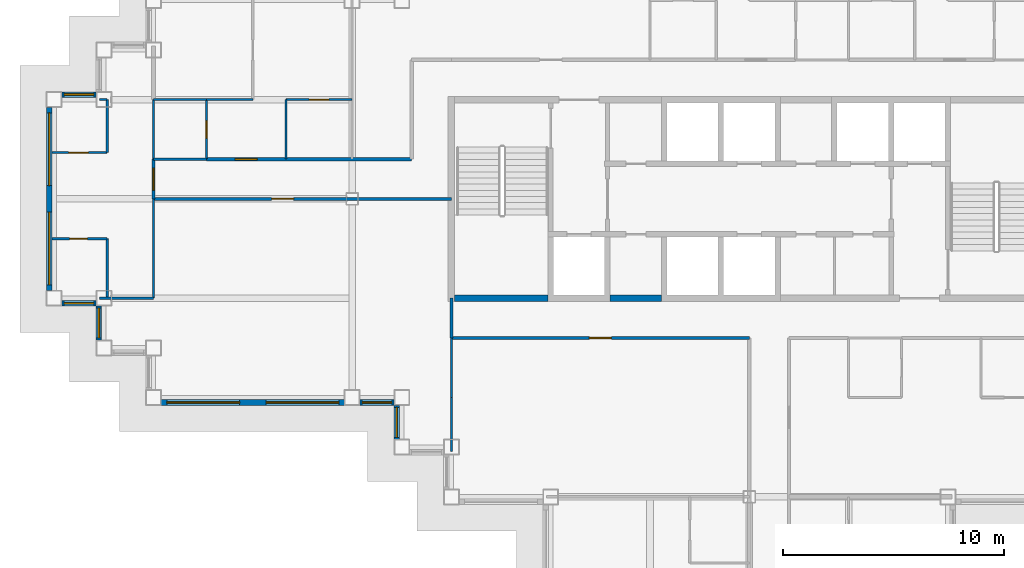
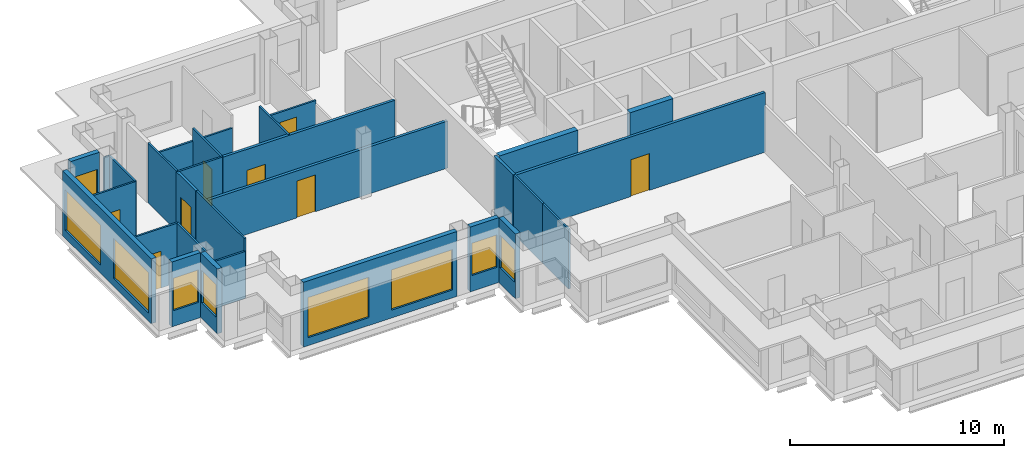
# One storey, part 3 of 12: 30 walls, 9 windows, 8 doors, 17 openings.
"""IFC4 building model written with IfcOpenShell, lengths in metres."""

from ifc_helpers import new_model, si_unit, direction, frame, frame_2d, origin, place, context, subcontext, project, spatial, rectangle, extrude, material, layer, layer_set, type_object, element, fill, save


model = new_model("IFC4")

# Units and contexts
model_context = context("Model", 3, precision=1e-05, world=origin(), true_north=direction((0.0, 1.0)))
body_context = subcontext(model_context, "Body", "Model", "MODEL_VIEW")
ifc_project = project(units=[si_unit("LENGTHUNIT", "METRE"), si_unit("AREAUNIT", "SQUARE_METRE"), si_unit("VOLUMEUNIT", "CUBIC_METRE"), si_unit("PLANEANGLEUNIT", "RADIAN"), si_unit("MASSUNIT", "GRAM", prefix="KILO")], contexts=[model_context])

# Site, building, storey
site_placement = place(None, origin())
site = spatial("IfcSite", under=ifc_project, at=site_placement, CompositionType="ELEMENT")
building_placement = place(site_placement, origin())
building = spatial("IfcBuilding", under=site, at=building_placement, Name="Caravel Reach Hotel and Residences", CompositionType="ELEMENT")
storey_placement = place(building_placement, frame((0.0, 0.0, 199.800048828125)))
storey = spatial("IfcBuildingStorey", under=building, at=storey_placement, Name="L50", CompositionType="ELEMENT", Elevation=199.800048828125)

# Wall, opening, door
ifc_material_1 = material(Name="Gypsum board on steel stud", Category="steel")
ifc_layer_1 = layer(ifc_material_1, 0.10009765625)
ifc_layer_set_1 = layer_set([ifc_layer_1], Name="Bathroom pod wall 100 mm")
wall_type_1 = type_object("IfcWallType", Name="Bathroom pod wall 100 mm", PredefinedType="PARTITIONING", material=ifc_layer_set_1)
wall_1_placement = place(storey_placement, frame((-0.10009765625, 25.199951171875, 0.0), z_axis=(0.0, 0.0, 1.0), x_axis=(1.0, 0.0, 0.0)))
wall_1 = element("IfcWall", 1, at=wall_1_placement, inside=storey, type_object=wall_type_1, Name="L50 wall w080", PredefinedType="PARTITIONING", context=body_context, shape_type="SweptSolid", body=[
    extrude(rectangle(XDim=2.5, YDim=0.10009765625, at=frame_2d((1.25, 0.0))), origin(), (0.0, 0.0, 1.0), 3.39990234375),
])
opening_1_placement = place(wall_1_placement, frame((0.800048828125, 0.0, 0.0)))
opening_1 = element("IfcOpeningElement", 2, at=opening_1_placement, cuts=wall_1, Name="Opening D50-044", PredefinedType="OPENING", context=body_context, shape_type="SweptSolid", body=[
    extrude(rectangle(XDim=0.800048828125, YDim=2.10009765625, at=frame_2d((0.39990234375, 1.050048828125))), frame((0.0, 0.06005859375, 0.0), z_axis=(0.0, -1.0, 0.0), x_axis=(1.0, 0.0, 0.0)), (0.0, 0.0, 1.0), 0.1201171875),
])
ifc_material_2 = material(Name="Timber and steel door leaf", Category="steel")
door_type_1 = type_object("IfcDoorType", Name="Bathroom door 800 x 2100", OperationType="SINGLE_SWING_LEFT", PredefinedType="DOOR", material=ifc_material_2)
door_1_placement = place(opening_1_placement, origin())
door_1 = element("IfcDoor", 3, at=door_1_placement, inside=storey, type_object=door_type_1, Name="door D50-044", OperationType="SINGLE_SWING_LEFT", OverallHeight=2.10009765625, OverallWidth=0.800048828125, PredefinedType="DOOR", context=body_context, shape_type="SweptSolid", body=[
    extrude(rectangle(XDim=0.800048828125, YDim=2.10009765625, at=frame_2d((0.39990234375, 1.050048828125))), frame((0.0, 0.02490234375, 0.0), z_axis=(0.0, -1.0, 0.0), x_axis=(1.0, 0.0, 0.0)), (0.0, 0.0, 1.0), 0.050048828125),
])
fill(opening_1, door_1)

# Walls
wall_2_placement = place(storey_placement, frame((4.5, 28.800048828125, 0.0), z_axis=(0.0, 0.0, 1.0), x_axis=(1.0, 0.0, 0.0)))
element("IfcWall", 4, at=wall_2_placement, inside=storey, type_object=wall_type_1, Name="L50 wall w081", PredefinedType="PARTITIONING", context=body_context, shape_type="SweptSolid", body=[
    extrude(rectangle(XDim=2.39990234375, YDim=0.10009765625, at=frame_2d((1.199951171875, 0.0))), origin(), (0.0, 0.0, 1.0), 3.39990234375),
])
wall_3_placement = place(storey_placement, frame((4.5, 31.5, 0.0), z_axis=(0.0, 0.0, 1.0), x_axis=(1.0, 0.0, 0.0)))
element("IfcWall", 5, at=wall_3_placement, inside=storey, type_object=wall_type_1, Name="L50 wall w082", PredefinedType="PARTITIONING", context=body_context, shape_type="SweptSolid", body=[
    extrude(rectangle(XDim=2.39990234375, YDim=0.10009765625, at=frame_2d((1.199951171875, 0.0))), origin(), (0.0, 0.0, 1.0), 2.679931640625),
])
for number, where, z_axis, x_axis, name in (
    (6, (2.39990234375, 22.5, 0.0), (0.0, 0.0, 1.0), (0.0, 1.0, 0.0), "L50 wall w092"),
    (7, (4.5, 28.800048828125, 0.0), (0.0, 0.0, 1.0), (0.0, 1.0, 0.0), "L50 wall w103"),
):
    element("IfcWall", number, at=place(storey_placement, frame(where, z_axis=z_axis, x_axis=x_axis)), inside=storey, type_object=wall_type_1, Name=name, PredefinedType="PARTITIONING", context=body_context, shape_type="SweptSolid", body=[
        extrude(rectangle(XDim=2.699951171875, YDim=0.10009765625, at=frame_2d((1.35009765625, 0.0))), origin(), (0.0, 0.0, 1.0), 3.39990234375),
    ])

# Wall, opening, door
wall_4_placement = place(storey_placement, frame((6.89990234375, 28.800048828125, 0.0), z_axis=(0.0, 0.0, 1.0), x_axis=(0.0, 1.0, 0.0)))
wall_4 = element("IfcWall", 8, at=wall_4_placement, inside=storey, type_object=wall_type_1, Name="L50 wall w107", PredefinedType="PARTITIONING", context=body_context, shape_type="SweptSolid", body=[
    extrude(rectangle(XDim=2.699951171875, YDim=0.10009765625, at=frame_2d((1.35009765625, 0.0))), origin(), (0.0, 0.0, 1.0), 3.39990234375),
])
opening_2_placement = place(wall_4_placement, frame((0.949951171875, 0.0, 0.0)))
opening_2 = element("IfcOpeningElement", 9, at=opening_2_placement, cuts=wall_4, Name="Opening D50-027", PredefinedType="OPENING", context=body_context, shape_type="SweptSolid", body=[
    extrude(rectangle(XDim=0.800048828125, YDim=2.10009765625, at=frame_2d((0.39990234375, 1.050048828125))), frame((0.0, 0.06005859375, 0.0), z_axis=(0.0, -1.0, 0.0), x_axis=(1.0, 0.0, 0.0)), (0.0, 0.0, 1.0), 0.1201171875),
])
door_2_placement = place(opening_2_placement, origin())
door_2 = element("IfcDoor", 10, at=door_2_placement, inside=storey, type_object=door_type_1, Name="door D50-027", OperationType="SINGLE_SWING_RIGHT", OverallHeight=2.10009765625, OverallWidth=0.800048828125, PredefinedType="DOOR", context=body_context, shape_type="SweptSolid", body=[
    extrude(rectangle(XDim=0.800048828125, YDim=2.10009765625, at=frame_2d((0.39990234375, 1.050048828125))), frame((0.0, 0.02490234375, 0.0), z_axis=(0.0, -1.0, 0.0), x_axis=(1.0, 0.0, 0.0)), (0.0, 0.0, 1.0), 0.050048828125),
])
fill(opening_2, door_2)

# Walls
ifc_material_3 = material(Name="Concrete C60", Category="concrete")
ifc_layer_2 = layer(ifc_material_3, 0.300048828125)
ifc_layer_set_2 = layer_set([ifc_layer_2], Name="Core wall 300 mm EI 120")
wall_type_2 = type_object("IfcWallType", Name="Core wall 300 mm EI 120", PredefinedType="SHEAR", material=ifc_layer_set_2)
wall_5_placement = place(storey_placement, frame((18.14990234375, 22.5, 0.0), z_axis=(0.0, 0.0, 1.0), x_axis=(1.0, 0.0, 0.0)))
element("IfcWall", 11, at=wall_5_placement, inside=storey, type_object=wall_type_2, Name="L50 core wall S1", PredefinedType="SHEAR", context=body_context, shape_type="SweptSolid", body=[
    extrude(rectangle(XDim=4.22509765625, YDim=0.300048828125, at=frame_2d((2.112548828125, 0.0))), origin(), (0.0, 0.0, 1.0), 3.39990234375),
])
wall_6_placement = place(storey_placement, frame((25.196533203125, 22.5, 0.0), z_axis=(0.0, 0.0, 1.0), x_axis=(1.0, 0.0, 0.0)))
element("IfcWall", 12, at=wall_6_placement, inside=storey, type_object=wall_type_2, Name="L50 core wall S2", PredefinedType="SHEAR", context=body_context, shape_type="SweptSolid", body=[
    extrude(rectangle(XDim=2.3212890625, YDim=0.300048828125, at=frame_2d((1.16064453125, 0.0))), origin(), (0.0, 0.0, 1.0), 3.39990234375),
])

# Wall, opening, door
ifc_material_4 = material(Name="Gypsum board on steel stud, fire-rated", Category="steel")
ifc_layer_3 = layer(ifc_material_4, 0.14990234375)
ifc_layer_set_3 = layer_set([ifc_layer_3], Name="Corridor wall 150 mm EI 60")
wall_type_3 = type_object("IfcWallType", Name="Corridor wall 150 mm EI 60", PredefinedType="PARTITIONING", material=ifc_layer_set_3)
wall_7_placement = place(storey_placement, frame((18.0, 20.699951171875, 0.0), z_axis=(0.0, 0.0, 1.0), x_axis=(1.0, 0.0, 0.0)))
wall_7 = element("IfcWall", 13, at=wall_7_placement, inside=storey, type_object=wall_type_3, Name="L50 wall w005", PredefinedType="PARTITIONING", context=body_context, shape_type="SweptSolid", body=[
    extrude(rectangle(XDim=13.5, YDim=0.14990234375, at=frame_2d((6.75, 0.0))), origin(), (0.0, 0.0, 1.0), 3.39990234375),
])
opening_3_placement = place(wall_7_placement, frame((6.25, 0.0, 0.0)))
opening_3 = element("IfcOpeningElement", 14, at=opening_3_placement, cuts=wall_7, Name="Opening D50-031", PredefinedType="OPENING", context=body_context, shape_type="SweptSolid", body=[
    extrude(rectangle(XDim=1.0, YDim=2.10009765625, at=frame_2d((0.5, 1.050048828125))), frame((0.0, 0.0849609375, 0.0), z_axis=(0.0, -1.0, 0.0), x_axis=(1.0, 0.0, 0.0)), (0.0, 0.0, 1.0), 0.169921875),
])
ifc_material_5 = material(Name="Steel fire door leaf", Category="steel")
door_type_2 = type_object("IfcDoorType", Name="Fire door 1000 x 2100 EI 60", OperationType="SINGLE_SWING_LEFT", PredefinedType="DOOR", material=ifc_material_5)
door_3_placement = place(opening_3_placement, origin())
door_3 = element("IfcDoor", 15, at=door_3_placement, inside=storey, type_object=door_type_2, Name="door D50-031", OperationType="SINGLE_SWING_LEFT", OverallHeight=2.10009765625, OverallWidth=1.0, PredefinedType="DOOR", context=body_context, shape_type="SweptSolid", body=[
    extrude(rectangle(XDim=1.0, YDim=2.10009765625, at=frame_2d((0.5, 1.050048828125))), frame((0.0, 0.02490234375, 0.0), z_axis=(0.0, -1.0, 0.0), x_axis=(1.0, 0.0, 0.0)), (0.0, 0.0, 1.0), 0.050048828125),
])
fill(opening_3, door_3)

wall_8_placement = place(storey_placement, frame((4.5, 27.0, 0.0), z_axis=(0.0, 0.0, 1.0), x_axis=(1.0, 0.0, 0.0)))
wall_8 = element("IfcWall", 16, at=wall_8_placement, inside=storey, type_object=wall_type_3, Name="L50 wall w007", PredefinedType="PARTITIONING", context=body_context, shape_type="SweptSolid", body=[
    extrude(rectangle(XDim=13.5, YDim=0.14990234375, at=frame_2d((6.75, 0.0))), origin(), (0.0, 0.0, 1.0), 2.679931640625),
])
opening_4_placement = place(wall_8_placement, frame((5.35009765625, 0.0, 0.0)))
opening_4 = element("IfcOpeningElement", 17, at=opening_4_placement, cuts=wall_8, Name="Opening D50-030", PredefinedType="OPENING", context=body_context, shape_type="SweptSolid", body=[
    extrude(rectangle(XDim=1.0, YDim=2.10009765625, at=frame_2d((0.5, 1.050048828125))), frame((0.0, 0.0849609375, 0.0), z_axis=(0.0, -1.0, 0.0), x_axis=(1.0, 0.0, 0.0)), (0.0, 0.0, 1.0), 0.169921875),
])
door_4_placement = place(opening_4_placement, origin())
door_4 = element("IfcDoor", 18, at=door_4_placement, inside=storey, type_object=door_type_2, Name="door D50-030", OperationType="SINGLE_SWING_LEFT", OverallHeight=2.10009765625, OverallWidth=1.0, PredefinedType="DOOR", context=body_context, shape_type="SweptSolid", body=[
    extrude(rectangle(XDim=1.0, YDim=2.10009765625, at=frame_2d((0.5, 1.050048828125))), frame((0.0, 0.02490234375, 0.0), z_axis=(0.0, -1.0, 0.0), x_axis=(1.0, 0.0, 0.0)), (0.0, 0.0, 1.0), 0.050048828125),
])
fill(opening_4, door_4)

wall_9_placement = place(storey_placement, frame((6.89990234375, 28.800048828125, 0.0), z_axis=(0.0, 0.0, 1.0), x_axis=(1.0, 0.0, 0.0)))
wall_9 = element("IfcWall", 19, at=wall_9_placement, inside=storey, type_object=wall_type_3, Name="L50 wall w009", PredefinedType="PARTITIONING", context=body_context, shape_type="SweptSolid", body=[
    extrude(rectangle(XDim=9.299072265625, YDim=0.14990234375, at=frame_2d((4.6494140625, 0.0))), origin(), (0.0, 0.0, 1.0), 3.39990234375),
])
opening_5_placement = place(wall_9_placement, frame((1.300048828125, 0.0, 0.0)))
opening_5 = element("IfcOpeningElement", 20, at=opening_5_placement, cuts=wall_9, Name="Opening D50-026", PredefinedType="OPENING", context=body_context, shape_type="SweptSolid", body=[
    extrude(rectangle(XDim=1.0, YDim=2.199951171875, at=frame_2d((0.5, 1.10009765625))), frame((0.0, 0.0849609375, 0.0), z_axis=(0.0, -1.0, 0.0), x_axis=(1.0, 0.0, 0.0)), (0.0, 0.0, 1.0), 0.169921875),
])
ifc_material_6 = material(Name="Steel fire door leaf", Category="steel")
door_type_3 = type_object("IfcDoorType", Name="Flat entrance door 1000 x 2200 EI 60", OperationType="SINGLE_SWING_LEFT", PredefinedType="DOOR", material=ifc_material_6)
door_5_placement = place(opening_5_placement, origin())
door_5 = element("IfcDoor", 21, at=door_5_placement, inside=storey, type_object=door_type_3, Name="door D50-026", OperationType="SINGLE_SWING_RIGHT", OverallHeight=2.199951171875, OverallWidth=1.0, PredefinedType="DOOR", context=body_context, shape_type="SweptSolid", body=[
    extrude(rectangle(XDim=1.0, YDim=2.199951171875, at=frame_2d((0.5, 1.10009765625))), frame((0.0, 0.02490234375, 0.0), z_axis=(0.0, -1.0, 0.0), x_axis=(1.0, 0.0, 0.0)), (0.0, 0.0, 1.0), 0.050048828125),
])
fill(opening_5, door_5)

# Wall
wall_10_placement = place(storey_placement, frame((18.0, 20.699951171875, 0.0), z_axis=(0.0, 0.0, 1.0), x_axis=(0.0, 1.0, 0.0)))
element("IfcWall", 22, at=wall_10_placement, inside=storey, type_object=wall_type_3, Name="L50 wall w019", PredefinedType="PARTITIONING", context=body_context, shape_type="SweptSolid", body=[
    extrude(rectangle(XDim=1.800048828125, YDim=0.14990234375, at=frame_2d((0.89990234375, 0.0))), origin(), (0.0, 0.0, 1.0), 3.39990234375),
])

# Wall, opening, door
wall_11_placement = place(storey_placement, frame((4.5, 27.0, 0.0), z_axis=(0.0, 0.0, 1.0), x_axis=(0.0, 1.0, 0.0)))
wall_11 = element("IfcWall", 23, at=wall_11_placement, inside=storey, type_object=wall_type_3, Name="L50 wall w026", PredefinedType="PARTITIONING", context=body_context, shape_type="SweptSolid", body=[
    extrude(rectangle(XDim=1.800048828125, YDim=0.14990234375, at=frame_2d((0.89990234375, 0.0))), origin(), (0.0, 0.0, 1.0), 3.39990234375),
])
opening_6_placement = place(wall_11_placement, frame((0.39990234375, 0.0, 0.0)))
opening_6 = element("IfcOpeningElement", 24, at=opening_6_placement, cuts=wall_11, Name="Opening D50-043", PredefinedType="OPENING", context=body_context, shape_type="SweptSolid", body=[
    extrude(rectangle(XDim=1.0, YDim=2.199951171875, at=frame_2d((0.5, 1.10009765625))), frame((0.0, 0.0849609375, 0.0), z_axis=(0.0, -1.0, 0.0), x_axis=(1.0, 0.0, 0.0)), (0.0, 0.0, 1.0), 0.169921875),
])
door_6_placement = place(opening_6_placement, origin())
door_6 = element("IfcDoor", 25, at=door_6_placement, inside=storey, type_object=door_type_3, Name="door D50-043", OperationType="SINGLE_SWING_LEFT", OverallHeight=2.199951171875, OverallWidth=1.0, PredefinedType="DOOR", context=body_context, shape_type="SweptSolid", body=[
    extrude(rectangle(XDim=1.0, YDim=2.199951171875, at=frame_2d((0.5, 1.10009765625))), frame((0.0, 0.02490234375, 0.0), z_axis=(0.0, -1.0, 0.0), x_axis=(1.0, 0.0, 0.0)), (0.0, 0.0, 1.0), 0.050048828125),
])
fill(opening_6, door_6)

# Wall, opening, window
ifc_material_7 = material(Name="Insulated rainscreen wall, aluminium cladding", Category="aluminium")
ifc_layer_4 = layer(ifc_material_7, 0.25)
ifc_layer_set_4 = layer_set([ifc_layer_4], Name="EW1 Tower rainscreen wall")
wall_type_4 = type_object("IfcWallType", Name="EW1 Tower rainscreen wall", PredefinedType="SOLIDWALL", material=ifc_layer_set_4)
wall_12_placement = place(storey_placement, frame((1.89990234375, 31.72509765625, 0.0), z_axis=(0.0, 0.0, 1.0), x_axis=(-1.0, 0.0, 0.0)))
wall_12 = element("IfcWall", 26, at=wall_12_placement, inside=storey, type_object=wall_type_4, Name="External wall L50 N19.1", PredefinedType="SOLIDWALL", context=body_context, shape_type="SweptSolid", body=[
    extrude(rectangle(XDim=1.5498046875, YDim=0.25, at=frame_2d((0.77490234375, 0.0))), origin(), (0.0, 0.0, 1.0), 3.699951171875),
])
opening_7_placement = place(wall_12_placement, frame((0.10009765625, 0.0, 0.89990234375)))
opening_7 = element("IfcOpeningElement", 27, at=opening_7_placement, cuts=wall_12, Name="Opening WN21", PredefinedType="OPENING", context=body_context, shape_type="SweptSolid", body=[
    extrude(rectangle(XDim=1.35009765625, YDim=1.85009765625, at=frame_2d((0.675048828125, 0.925048828125))), frame((0.0, 0.135009765625, 0.0), z_axis=(0.0, -1.0, 0.0), x_axis=(1.0, 0.0, 0.0)), (0.0, 0.0, 1.0), 0.27001953125),
])
ifc_material_8 = material(Name="Dark low-e glazing in black aluminium frame", Category="aluminium")
window_type_1 = type_object("IfcWindowType", Name="Residence bedroom window 1350 x 1850", PartitioningType="SINGLE_PANEL", PredefinedType="WINDOW", material=ifc_material_8)
window_1_placement = place(opening_7_placement, origin())
window_1 = element("IfcWindow", 28, at=window_1_placement, inside=storey, type_object=window_type_1, Name="Window L50 N19.1.1", OverallHeight=1.85009765625, OverallWidth=1.35009765625, PartitioningType="SINGLE_PANEL", PredefinedType="WINDOW", context=body_context, shape_type="SweptSolid", body=[
    extrude(rectangle(XDim=1.35009765625, YDim=1.85009765625, at=frame_2d((0.675048828125, 0.925048828125))), frame((0.0, 0.030029296875, 0.0), z_axis=(0.0, -1.0, 0.0), x_axis=(1.0, 0.0, 0.0)), (0.0, 0.0, 1.0), 0.06005859375),
])
fill(opening_7, window_1)

# Wall, openings, windows
wall_13_placement = place(storey_placement, frame((-0.22509765625, 31.14990234375, 0.0), z_axis=(0.0, 0.0, 1.0), x_axis=(0.0, -1.0, 0.0)))
wall_13 = element("IfcWall", 29, at=wall_13_placement, inside=storey, type_object=wall_type_4, Name="External wall L50 W20.1", PredefinedType="SOLIDWALL", context=body_context, shape_type="SweptSolid", body=[
    extrude(rectangle(XDim=8.2998046875, YDim=0.25, at=frame_2d((4.14990234375, 0.0))), origin(), (0.0, 0.0, 1.0), 3.699951171875),
])
opening_8_placement = place(wall_13_placement, frame((0.25, 0.0, 0.449951171875)))
opening_8 = element("IfcOpeningElement", 30, at=opening_8_placement, cuts=wall_13, Name="Opening WN15", PredefinedType="OPENING", context=body_context, shape_type="SweptSolid", body=[
    extrude(rectangle(XDim=3.300048828125, YDim=2.300048828125, at=frame_2d((1.64990234375, 1.14990234375))), frame((0.0, 0.135009765625, 0.0), z_axis=(0.0, -1.0, 0.0), x_axis=(1.0, 0.0, 0.0)), (0.0, 0.0, 1.0), 0.27001953125),
])
opening_9_placement = place(wall_13_placement, frame((4.75, 0.0, 0.449951171875)))
opening_9 = element("IfcOpeningElement", 31, at=opening_9_placement, cuts=wall_13, Name="Opening WN15", PredefinedType="OPENING", context=body_context, shape_type="SweptSolid", body=[
    extrude(rectangle(XDim=3.300048828125, YDim=2.300048828125, at=frame_2d((1.64990234375, 1.14990234375))), frame((0.0, 0.135009765625, 0.0), z_axis=(0.0, -1.0, 0.0), x_axis=(1.0, 0.0, 0.0)), (0.0, 0.0, 1.0), 0.27001953125),
])
ifc_material_9 = material(Name="Dark low-e glazing in black aluminium frame", Category="aluminium")
window_type_2 = type_object("IfcWindowType", Name="Residence living window 3300 x 2300", PartitioningType="SINGLE_PANEL", PredefinedType="WINDOW", material=ifc_material_9)
window_2_placement = place(opening_8_placement, origin())
window_2 = element("IfcWindow", 32, at=window_2_placement, inside=storey, type_object=window_type_2, Name="Window L50 W20.1.1", OverallHeight=2.300048828125, OverallWidth=3.300048828125, PartitioningType="SINGLE_PANEL", PredefinedType="WINDOW", context=body_context, shape_type="SweptSolid", body=[
    extrude(rectangle(XDim=3.300048828125, YDim=2.300048828125, at=frame_2d((1.64990234375, 1.14990234375))), frame((0.0, 0.030029296875, 0.0), z_axis=(0.0, -1.0, 0.0), x_axis=(1.0, 0.0, 0.0)), (0.0, 0.0, 1.0), 0.06005859375),
])
fill(opening_8, window_2)
window_3_placement = place(opening_9_placement, origin())
window_3 = element("IfcWindow", 33, at=window_3_placement, inside=storey, type_object=window_type_2, Name="Window L50 W20.1.2", OverallHeight=2.300048828125, OverallWidth=3.300048828125, PartitioningType="SINGLE_PANEL", PredefinedType="WINDOW", context=body_context, shape_type="SweptSolid", body=[
    extrude(rectangle(XDim=3.300048828125, YDim=2.300048828125, at=frame_2d((1.64990234375, 1.14990234375))), frame((0.0, 0.030029296875, 0.0), z_axis=(0.0, -1.0, 0.0), x_axis=(1.0, 0.0, 0.0)), (0.0, 0.0, 1.0), 0.06005859375),
])
fill(opening_9, window_3)

# Wall, opening, window
wall_14_placement = place(storey_placement, frame((0.35009765625, 22.27490234375, 0.0), z_axis=(0.0, 0.0, 1.0), x_axis=(1.0, 0.0, 0.0)))
wall_14 = element("IfcWall", 34, at=wall_14_placement, inside=storey, type_object=wall_type_4, Name="External wall L50 S21.1", PredefinedType="SOLIDWALL", context=body_context, shape_type="SweptSolid", body=[
    extrude(rectangle(XDim=1.5498046875, YDim=0.25, at=frame_2d((0.77490234375, 0.0))), origin(), (0.0, 0.0, 1.0), 3.699951171875),
])
opening_10_placement = place(wall_14_placement, frame((0.10009765625, 0.0, 0.89990234375)))
opening_10 = element("IfcOpeningElement", 35, at=opening_10_placement, cuts=wall_14, Name="Opening WN21", PredefinedType="OPENING", context=body_context, shape_type="SweptSolid", body=[
    extrude(rectangle(XDim=1.35009765625, YDim=1.85009765625, at=frame_2d((0.675048828125, 0.925048828125))), frame((0.0, 0.135009765625, 0.0), z_axis=(0.0, -1.0, 0.0), x_axis=(1.0, 0.0, 0.0)), (0.0, 0.0, 1.0), 0.27001953125),
])
window_4_placement = place(opening_10_placement, origin())
window_4 = element("IfcWindow", 36, at=window_4_placement, inside=storey, type_object=window_type_1, Name="Window L50 S21.1.1", OverallHeight=1.85009765625, OverallWidth=1.35009765625, PartitioningType="SINGLE_PANEL", PredefinedType="WINDOW", context=body_context, shape_type="SweptSolid", body=[
    extrude(rectangle(XDim=1.35009765625, YDim=1.85009765625, at=frame_2d((0.675048828125, 0.925048828125))), frame((0.0, 0.030029296875, 0.0), z_axis=(0.0, -1.0, 0.0), x_axis=(1.0, 0.0, 0.0)), (0.0, 0.0, 1.0), 0.06005859375),
])
fill(opening_10, window_4)

wall_15_placement = place(storey_placement, frame((2.02490234375, 22.14990234375, 0.0), z_axis=(0.0, 0.0, 1.0), x_axis=(0.0, -1.0, 0.0)))
wall_15 = element("IfcWall", 37, at=wall_15_placement, inside=storey, type_object=wall_type_4, Name="External wall L50 W22.1", PredefinedType="SOLIDWALL", context=body_context, shape_type="SweptSolid", body=[
    extrude(rectangle(XDim=1.5498046875, YDim=0.25, at=frame_2d((0.77490234375, 0.0))), origin(), (0.0, 0.0, 1.0), 3.699951171875),
])
opening_11_placement = place(wall_15_placement, frame((0.10009765625, 0.0, 0.89990234375)))
opening_11 = element("IfcOpeningElement", 38, at=opening_11_placement, cuts=wall_15, Name="Opening WN21", PredefinedType="OPENING", context=body_context, shape_type="SweptSolid", body=[
    extrude(rectangle(XDim=1.35009765625, YDim=1.85009765625, at=frame_2d((0.675048828125, 0.925048828125))), frame((0.0, 0.135009765625, 0.0), z_axis=(0.0, -1.0, 0.0), x_axis=(1.0, 0.0, 0.0)), (0.0, 0.0, 1.0), 0.27001953125),
])
window_5_placement = place(opening_11_placement, origin())
window_5 = element("IfcWindow", 39, at=window_5_placement, inside=storey, type_object=window_type_1, Name="Window L50 W22.1.1", OverallHeight=1.85009765625, OverallWidth=1.35009765625, PartitioningType="SINGLE_PANEL", PredefinedType="WINDOW", context=body_context, shape_type="SweptSolid", body=[
    extrude(rectangle(XDim=1.35009765625, YDim=1.85009765625, at=frame_2d((0.675048828125, 0.925048828125))), frame((0.0, 0.030029296875, 0.0), z_axis=(0.0, -1.0, 0.0), x_axis=(1.0, 0.0, 0.0)), (0.0, 0.0, 1.0), 0.06005859375),
])
fill(opening_11, window_5)

# Wall, openings, windows
wall_16_placement = place(storey_placement, frame((4.85009765625, 17.77490234375, 0.0), z_axis=(0.0, 0.0, 1.0), x_axis=(1.0, 0.0, 0.0)))
wall_16 = element("IfcWall", 40, at=wall_16_placement, inside=storey, type_object=wall_type_4, Name="External wall L50 S25.1", PredefinedType="SOLIDWALL", context=body_context, shape_type="SweptSolid", body=[
    extrude(rectangle(XDim=8.2998046875, YDim=0.25, at=frame_2d((4.14990234375, 0.0))), origin(), (0.0, 0.0, 1.0), 3.699951171875),
])
opening_12_placement = place(wall_16_placement, frame((0.25, 0.0, 0.449951171875)))
opening_12 = element("IfcOpeningElement", 41, at=opening_12_placement, cuts=wall_16, Name="Opening WN15", PredefinedType="OPENING", context=body_context, shape_type="SweptSolid", body=[
    extrude(rectangle(XDim=3.300048828125, YDim=2.300048828125, at=frame_2d((1.64990234375, 1.14990234375))), frame((0.0, 0.135009765625, 0.0), z_axis=(0.0, -1.0, 0.0), x_axis=(1.0, 0.0, 0.0)), (0.0, 0.0, 1.0), 0.27001953125),
])
opening_13_placement = place(wall_16_placement, frame((4.75, 0.0, 0.449951171875)))
opening_13 = element("IfcOpeningElement", 42, at=opening_13_placement, cuts=wall_16, Name="Opening WN15", PredefinedType="OPENING", context=body_context, shape_type="SweptSolid", body=[
    extrude(rectangle(XDim=3.300048828125, YDim=2.300048828125, at=frame_2d((1.64990234375, 1.14990234375))), frame((0.0, 0.135009765625, 0.0), z_axis=(0.0, -1.0, 0.0), x_axis=(1.0, 0.0, 0.0)), (0.0, 0.0, 1.0), 0.27001953125),
])
window_6_placement = place(opening_12_placement, origin())
window_6 = element("IfcWindow", 43, at=window_6_placement, inside=storey, type_object=window_type_2, Name="Window L50 S25.1.1", OverallHeight=2.300048828125, OverallWidth=3.300048828125, PartitioningType="SINGLE_PANEL", PredefinedType="WINDOW", context=body_context, shape_type="SweptSolid", body=[
    extrude(rectangle(XDim=3.300048828125, YDim=2.300048828125, at=frame_2d((1.64990234375, 1.14990234375))), frame((0.0, 0.030029296875, 0.0), z_axis=(0.0, -1.0, 0.0), x_axis=(1.0, 0.0, 0.0)), (0.0, 0.0, 1.0), 0.06005859375),
])
fill(opening_12, window_6)
window_7_placement = place(opening_13_placement, origin())
window_7 = element("IfcWindow", 44, at=window_7_placement, inside=storey, type_object=window_type_2, Name="Window L50 S25.1.2", OverallHeight=2.300048828125, OverallWidth=3.300048828125, PartitioningType="SINGLE_PANEL", PredefinedType="WINDOW", context=body_context, shape_type="SweptSolid", body=[
    extrude(rectangle(XDim=3.300048828125, YDim=2.300048828125, at=frame_2d((1.64990234375, 1.14990234375))), frame((0.0, 0.030029296875, 0.0), z_axis=(0.0, -1.0, 0.0), x_axis=(1.0, 0.0, 0.0)), (0.0, 0.0, 1.0), 0.06005859375),
])
fill(opening_13, window_7)

# Wall, opening, window
wall_17_placement = place(storey_placement, frame((13.85009765625, 17.77490234375, 0.0), z_axis=(0.0, 0.0, 1.0), x_axis=(1.0, 0.0, 0.0)))
wall_17 = element("IfcWall", 45, at=wall_17_placement, inside=storey, type_object=wall_type_4, Name="External wall L50 S25.2", PredefinedType="SOLIDWALL", context=body_context, shape_type="SweptSolid", body=[
    extrude(rectangle(XDim=1.5498046875, YDim=0.25, at=frame_2d((0.77490234375, 0.0))), origin(), (0.0, 0.0, 1.0), 3.699951171875),
])
opening_14_placement = place(wall_17_placement, frame((0.10009765625, 0.0, 0.89990234375)))
opening_14 = element("IfcOpeningElement", 46, at=opening_14_placement, cuts=wall_17, Name="Opening WN21", PredefinedType="OPENING", context=body_context, shape_type="SweptSolid", body=[
    extrude(rectangle(XDim=1.35009765625, YDim=1.85009765625, at=frame_2d((0.675048828125, 0.925048828125))), frame((0.0, 0.135009765625, 0.0), z_axis=(0.0, -1.0, 0.0), x_axis=(1.0, 0.0, 0.0)), (0.0, 0.0, 1.0), 0.27001953125),
])
window_8_placement = place(opening_14_placement, origin())
window_8 = element("IfcWindow", 47, at=window_8_placement, inside=storey, type_object=window_type_1, Name="Window L50 S25.2.1", OverallHeight=1.85009765625, OverallWidth=1.35009765625, PartitioningType="SINGLE_PANEL", PredefinedType="WINDOW", context=body_context, shape_type="SweptSolid", body=[
    extrude(rectangle(XDim=1.35009765625, YDim=1.85009765625, at=frame_2d((0.675048828125, 0.925048828125))), frame((0.0, 0.030029296875, 0.0), z_axis=(0.0, -1.0, 0.0), x_axis=(1.0, 0.0, 0.0)), (0.0, 0.0, 1.0), 0.06005859375),
])
fill(opening_14, window_8)

wall_18_placement = place(storey_placement, frame((15.52490234375, 17.64990234375, 0.0), z_axis=(0.0, 0.0, 1.0), x_axis=(0.0, -1.0, 0.0)))
wall_18 = element("IfcWall", 48, at=wall_18_placement, inside=storey, type_object=wall_type_4, Name="External wall L50 W26.1", PredefinedType="SOLIDWALL", context=body_context, shape_type="SweptSolid", body=[
    extrude(rectangle(XDim=1.5498046875, YDim=0.25, at=frame_2d((0.77490234375, 0.0))), origin(), (0.0, 0.0, 1.0), 3.699951171875),
])
opening_15_placement = place(wall_18_placement, frame((0.10009765625, 0.0, 0.89990234375)))
opening_15 = element("IfcOpeningElement", 49, at=opening_15_placement, cuts=wall_18, Name="Opening WN21", PredefinedType="OPENING", context=body_context, shape_type="SweptSolid", body=[
    extrude(rectangle(XDim=1.35009765625, YDim=1.85009765625, at=frame_2d((0.675048828125, 0.925048828125))), frame((0.0, 0.135009765625, 0.0), z_axis=(0.0, -1.0, 0.0), x_axis=(1.0, 0.0, 0.0)), (0.0, 0.0, 1.0), 0.27001953125),
])
window_9_placement = place(opening_15_placement, origin())
window_9 = element("IfcWindow", 50, at=window_9_placement, inside=storey, type_object=window_type_1, Name="Window L50 W26.1.1", OverallHeight=1.85009765625, OverallWidth=1.35009765625, PartitioningType="SINGLE_PANEL", PredefinedType="WINDOW", context=body_context, shape_type="SweptSolid", body=[
    extrude(rectangle(XDim=1.35009765625, YDim=1.85009765625, at=frame_2d((0.675048828125, 0.925048828125))), frame((0.0, 0.030029296875, 0.0), z_axis=(0.0, -1.0, 0.0), x_axis=(1.0, 0.0, 0.0)), (0.0, 0.0, 1.0), 0.06005859375),
])
fill(opening_15, window_9)

# Wall
ifc_material_10 = material(Name="Gypsum board on steel stud", Category="steel")
ifc_layer_5 = layer(ifc_material_10, 0.10009765625)
ifc_layer_set_5 = layer_set([ifc_layer_5], Name="Partition 100 mm")
wall_type_5 = type_object("IfcWallType", Name="Partition 100 mm", PredefinedType="PARTITIONING", material=ifc_layer_set_5)
wall_19_placement = place(storey_placement, frame((2.06005859375, 22.5, 0.0), z_axis=(0.0, 0.0, 1.0), x_axis=(1.0, 0.0, 0.0)))
element("IfcWall", 51, at=wall_19_placement, inside=storey, type_object=wall_type_5, Name="L50 wall w034", PredefinedType="PARTITIONING", context=body_context, shape_type="SweptSolid", body=[
    extrude(rectangle(XDim=2.43896484375, YDim=0.10009765625, at=frame_2d((1.219482421875, 0.0))), origin(), (0.0, 0.0, 1.0), 2.679931640625),
])

# Wall, opening, door
wall_20_placement = place(storey_placement, frame((-0.10009765625, 29.10009765625, 0.0), z_axis=(0.0, 0.0, 1.0), x_axis=(1.0, 0.0, 0.0)))
wall_20 = element("IfcWall", 52, at=wall_20_placement, inside=storey, type_object=wall_type_5, Name="L50 wall w035", PredefinedType="PARTITIONING", context=body_context, shape_type="SweptSolid", body=[
    extrude(rectangle(XDim=2.5, YDim=0.10009765625, at=frame_2d((1.25, 0.0))), origin(), (0.0, 0.0, 1.0), 3.39990234375),
])
opening_16_placement = place(wall_20_placement, frame((0.75, 0.0, 0.0)))
opening_16 = element("IfcOpeningElement", 53, at=opening_16_placement, cuts=wall_20, Name="Opening D50-045", PredefinedType="OPENING", context=body_context, shape_type="SweptSolid", body=[
    extrude(rectangle(XDim=0.89990234375, YDim=2.10009765625, at=frame_2d((0.449951171875, 1.050048828125))), frame((0.0, 0.06005859375, 0.0), z_axis=(0.0, -1.0, 0.0), x_axis=(1.0, 0.0, 0.0)), (0.0, 0.0, 1.0), 0.1201171875),
])
ifc_material_11 = material(Name="Timber and steel door leaf", Category="steel")
door_type_4 = type_object("IfcDoorType", Name="Door 900 x 2100 timber", OperationType="SINGLE_SWING_LEFT", PredefinedType="DOOR", material=ifc_material_11)
door_7_placement = place(opening_16_placement, origin())
door_7 = element("IfcDoor", 54, at=door_7_placement, inside=storey, type_object=door_type_4, Name="door D50-045", OperationType="SINGLE_SWING_RIGHT", OverallHeight=2.10009765625, OverallWidth=0.89990234375, PredefinedType="DOOR", context=body_context, shape_type="SweptSolid", body=[
    extrude(rectangle(XDim=0.89990234375, YDim=2.10009765625, at=frame_2d((0.449951171875, 1.050048828125))), frame((0.0, 0.02490234375, 0.0), z_axis=(0.0, -1.0, 0.0), x_axis=(1.0, 0.0, 0.0)), (0.0, 0.0, 1.0), 0.050048828125),
])
fill(opening_16, door_7)

# Wall
wall_21_placement = place(storey_placement, frame((6.89990234375, 31.5, 0.0), z_axis=(0.0, 0.0, 1.0), x_axis=(1.0, 0.0, 0.0)))
element("IfcWall", 55, at=wall_21_placement, inside=storey, type_object=wall_type_5, Name="L50 wall w036", PredefinedType="PARTITIONING", context=body_context, shape_type="SweptSolid", body=[
    extrude(rectangle(XDim=2.10009765625, YDim=0.10009765625, at=frame_2d((1.050048828125, 0.0))), origin(), (0.0, 0.0, 1.0), 2.679931640625),
])

# Wall, opening, door
wall_22_placement = place(storey_placement, frame((10.5, 31.5, 0.0), z_axis=(0.0, 0.0, 1.0), x_axis=(1.0, 0.0, 0.0)))
wall_22 = element("IfcWall", 56, at=wall_22_placement, inside=storey, type_object=wall_type_5, Name="L50 wall w037", PredefinedType="PARTITIONING", context=body_context, shape_type="SweptSolid", body=[
    extrude(rectangle(XDim=3.0, YDim=0.10009765625, at=frame_2d((1.5, 0.0))), origin(), (0.0, 0.0, 1.0), 2.679931640625),
])
opening_17_placement = place(wall_22_placement, frame((1.050048828125, 0.0, 0.0)))
opening_17 = element("IfcOpeningElement", 57, at=opening_17_placement, cuts=wall_22, Name="Opening D50-028", PredefinedType="OPENING", context=body_context, shape_type="SweptSolid", body=[
    extrude(rectangle(XDim=0.89990234375, YDim=2.10009765625, at=frame_2d((0.449951171875, 1.050048828125))), frame((0.0, 0.06005859375, 0.0), z_axis=(0.0, -1.0, 0.0), x_axis=(1.0, 0.0, 0.0)), (0.0, 0.0, 1.0), 0.1201171875),
])
door_8_placement = place(opening_17_placement, origin())
door_8 = element("IfcDoor", 58, at=door_8_placement, inside=storey, type_object=door_type_4, Name="door D50-028", OperationType="SINGLE_SWING_LEFT", OverallHeight=2.10009765625, OverallWidth=0.89990234375, PredefinedType="DOOR", context=body_context, shape_type="SweptSolid", body=[
    extrude(rectangle(XDim=0.89990234375, YDim=2.10009765625, at=frame_2d((0.449951171875, 1.050048828125))), frame((0.0, 0.02490234375, 0.0), z_axis=(0.0, -1.0, 0.0), x_axis=(1.0, 0.0, 0.0)), (0.0, 0.0, 1.0), 0.050048828125),
])
fill(opening_17, door_8)

# Walls
wall_23_placement = place(storey_placement, frame((2.06005859375, 31.5, 0.0), z_axis=(0.0, 0.0, 1.0), x_axis=(1.0, 0.0, 0.0)))
element("IfcWall", 59, at=wall_23_placement, inside=storey, type_object=wall_type_5, Name="L50 wall w038", PredefinedType="PARTITIONING", context=body_context, shape_type="SweptSolid", body=[
    extrude(rectangle(XDim=0.33984375, YDim=0.10009765625, at=frame_2d((0.169921875, 0.0))), origin(), (0.0, 0.0, 1.0), 3.39990234375),
])
wall_24_placement = place(storey_placement, frame((10.5, 28.800048828125, 0.0), z_axis=(0.0, 0.0, 1.0), x_axis=(0.0, 1.0, 0.0)))
element("IfcWall", 60, at=wall_24_placement, inside=storey, type_object=wall_type_5, Name="L50 wall w047", PredefinedType="PARTITIONING", context=body_context, shape_type="SweptSolid", body=[
    extrude(rectangle(XDim=2.699951171875, YDim=0.10009765625, at=frame_2d((1.35009765625, 0.0))), origin(), (0.0, 0.0, 1.0), 3.39990234375),
])
wall_25_placement = place(storey_placement, frame((18.0, 15.56005859375, 0.0), z_axis=(0.0, 0.0, 1.0), x_axis=(0.0, 1.0, 0.0)))
element("IfcWall", 61, at=wall_25_placement, inside=storey, type_object=wall_type_5, Name="L50 wall w050", PredefinedType="PARTITIONING", context=body_context, shape_type="SweptSolid", body=[
    extrude(rectangle(XDim=2.43896484375, YDim=0.10009765625, at=frame_2d((1.219482421875, 0.0))), origin(), (0.0, 0.0, 1.0), 3.39990234375),
])
wall_26_placement = place(storey_placement, frame((18.0, 18.0, 0.0), z_axis=(0.0, 0.0, 1.0), x_axis=(0.0, 1.0, 0.0)))
element("IfcWall", 62, at=wall_26_placement, inside=storey, type_object=wall_type_5, Name="L50 wall w051", PredefinedType="PARTITIONING", context=body_context, shape_type="SweptSolid", body=[
    extrude(rectangle(XDim=2.699951171875, YDim=0.10009765625, at=frame_2d((1.35009765625, 0.0))), origin(), (0.0, 0.0, 1.0), 3.39990234375),
])
wall_27_placement = place(storey_placement, frame((2.39990234375, 29.10009765625, 0.0), z_axis=(0.0, 0.0, 1.0), x_axis=(0.0, 1.0, 0.0)))
element("IfcWall", 63, at=wall_27_placement, inside=storey, type_object=wall_type_5, Name="L50 wall w052", PredefinedType="PARTITIONING", context=body_context, shape_type="SweptSolid", body=[
    extrude(rectangle(XDim=2.39990234375, YDim=0.10009765625, at=frame_2d((1.199951171875, 0.0))), origin(), (0.0, 0.0, 1.0), 3.39990234375),
])
wall_28_placement = place(storey_placement, frame((4.5, 22.5, 0.0), z_axis=(0.0, 0.0, 1.0), x_axis=(0.0, 1.0, 0.0)))
element("IfcWall", 64, at=wall_28_placement, inside=storey, type_object=wall_type_5, Name="L50 wall w064", PredefinedType="PARTITIONING", context=body_context, shape_type="SweptSolid", body=[
    extrude(rectangle(XDim=4.5, YDim=0.10009765625, at=frame_2d((2.25, 0.0))), origin(), (0.0, 0.0, 1.0), 3.39990234375),
])

save(model, "model.ifc")
